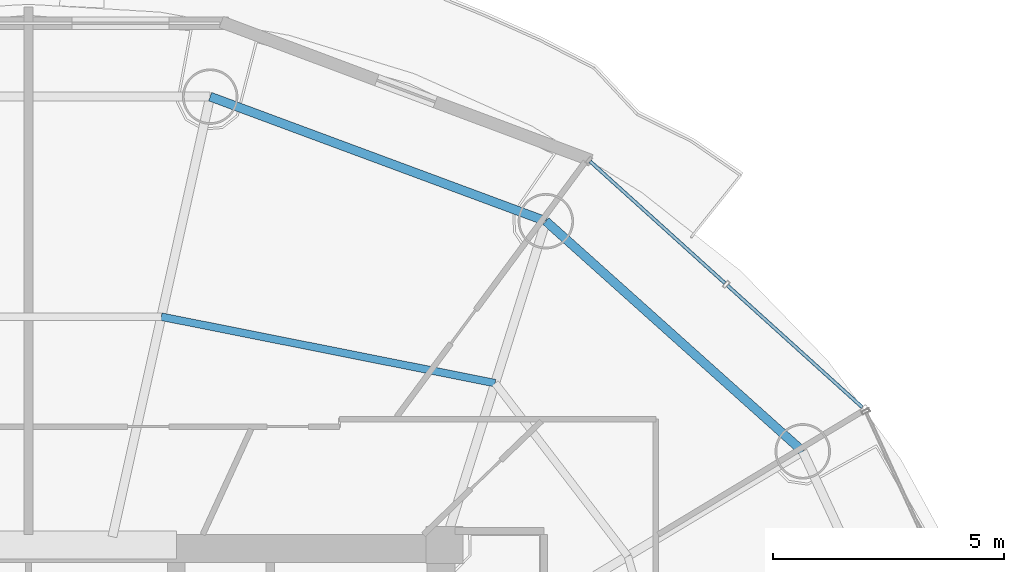
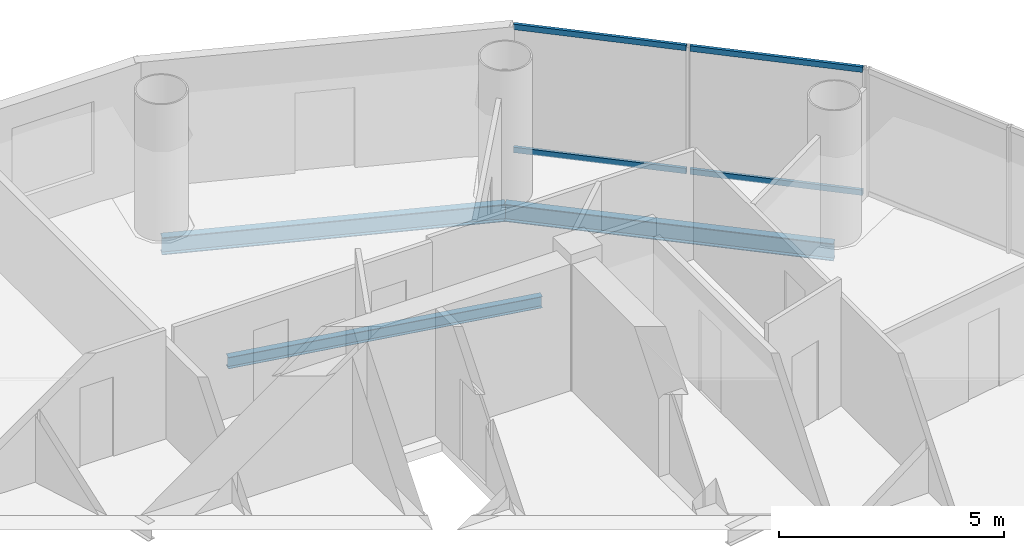
# One storey, part 17 of 26: 4 members, 3 beams, 1 element without a shape of its own.
"""IFC4 building model written with IfcOpenShell, lengths in metres."""

from ifc_helpers import new_model, si_unit, direction, frame, origin, origin_2d, place, context, subcontext, project, spatial, hollow_rectangle, i_section, extrude, source, transform, mapped, material, material_profile, profile_set, type_object, element, aggregate, save


model = new_model("IFC4")

# Units and contexts
model_context = context("Model", 3, precision=1e-05, world=origin(), true_north=direction((-0.2419218956, 0.970295726276)))
body_context = subcontext(model_context, "Body", "Model", "MODEL_VIEW")
ifc_project = project(units=[si_unit("LENGTHUNIT", "METRE"), si_unit("AREAUNIT", "SQUARE_METRE"), si_unit("VOLUMEUNIT", "CUBIC_METRE"), si_unit("PLANEANGLEUNIT", "RADIAN"), si_unit("MASSUNIT", "GRAM", prefix="KILO")], contexts=[model_context])

# Site, building, storey
site_placement = place(None, origin())
site = spatial("IfcSite", under=ifc_project, at=site_placement, CompositionType="ELEMENT")
building_placement = place(site_placement, origin())
building = spatial("IfcBuilding", under=site, at=building_placement, Name="Cobrevalo Terracotta Tower", CompositionType="ELEMENT")
storey_placement = place(building_placement, frame((0.0, 0.0, 202.300048828125)))
storey = spatial("IfcBuildingStorey", under=building, at=storey_placement, Name="L53", CompositionType="ELEMENT", Elevation=202.300048828125)

# Beams
ifc_material_1 = material(Name="Steel S355", Category="steel")
ifc_material_profile_1 = material_profile(ifc_material_1, i_section(OverallWidth=0.1650390625, OverallDepth=0.31005859375, WebThickness=0.005859375, FlangeThickness=0.009765625, at=origin_2d()), Name="W 310x38.7")
ifc_profile_set_1 = profile_set([ifc_material_profile_1], Name="Steel S355")
beam_type_1 = type_object("IfcBeamType", Name="Structural Joist W 310x38.7 (Steel S355)", PredefinedType="JOIST", material=ifc_profile_set_1)
beam_1_placement = place(storey_placement, frame((48.097412109375, 38.303955078125, -0.420166015625), z_axis=(-0.980762562197, 0.195204499418, 0.0), x_axis=(-0.195204499418, -0.980762562197, 0.0)))
element("IfcBeam", 1, at=beam_1_placement, inside=storey, type_object=beam_type_1, Name="L53 circumferential secondary floor joist 03", PredefinedType="JOIST", context=body_context, shape_type="SweptSolid", body=[
    extrude(i_section(OverallWidth=0.1650390625, OverallDepth=0.31005859375, WebThickness=0.005859375, FlangeThickness=0.009765625, at=origin_2d()), origin(), (0.0, 0.0, 1.0), 7.365234375),
])
ifc_material_profile_2 = material_profile(ifc_material_1, i_section(OverallWidth=0.194091796875, OverallDepth=0.468994140625, WebThickness=0.011474609375, FlangeThickness=0.0205078125, at=origin_2d()), Name="W 460x106")
ifc_profile_set_2 = profile_set([ifc_material_profile_2], Name="Steel S355")
beam_type_2 = type_object("IfcBeamType", Name="Structural Spandrel W 460x106 (Steel S355)", PredefinedType="SPANDREL", material=ifc_profile_set_2)
beam_2_placement = place(storey_placement, frame((54.754150390625, 36.828125, -0.49951171875), z_axis=(-0.744851930997, 0.667229796165, 0.0), x_axis=(-0.667229796165, -0.744851930997, 0.0)))
element("IfcBeam", 2, at=beam_2_placement, inside=storey, type_object=beam_type_2, Name="L53 perimeter ring spandrel 02", PredefinedType="SPANDREL", context=body_context, shape_type="SweptSolid", body=[
    extrude(i_section(OverallWidth=0.194091796875, OverallDepth=0.468994140625, WebThickness=0.011474609375, FlangeThickness=0.0205078125, at=origin_2d()), origin(), (0.0, 0.0, 1.0), 7.463623046875),
])
beam_3_placement = place(storey_placement, frame((49.19482421875, 41.80810546875, -0.49951171875), z_axis=(-0.937545996665, 0.347861328892, 0.0), x_axis=(-0.347861328892, -0.937545996665, 0.0)))
element("IfcBeam", 3, at=beam_3_placement, inside=storey, type_object=beam_type_2, Name="L53 perimeter ring spandrel 03", PredefinedType="SPANDREL", context=body_context, shape_type="SweptSolid", body=[
    extrude(i_section(OverallWidth=0.194091796875, OverallDepth=0.468994140625, WebThickness=0.011474609375, FlangeThickness=0.0205078125, at=origin_2d()), origin(), (0.0, 0.0, 1.0), 7.74755859375),
])

# Curtain wall, members
ifc_material_2 = material(Name="Anodized aluminium", Category="aluminium")
curtain_wall_type = type_object("IfcCurtainWallType", Name="Mid-tower high-wind unitised curtain wall CW-U2", PredefinedType="NOTDEFINED", material=ifc_material_2)
curtain_wall_placement = place(storey_placement, origin())
curtain_wall = element("IfcCurtainWall", 4, at=curtain_wall_placement, inside=storey, type_object=curtain_wall_type, Name="L53 curtain wall CW-L53-S02", PredefinedType="NOTDEFINED")
ifc_material_profile_3 = material_profile(ifc_material_2, hollow_rectangle(XDim=0.074951171875, YDim=0.14990234375, WallThickness=0.00439453125, at=origin_2d()), Name="CWT 75x150")
ifc_profile_set_3 = profile_set([ifc_material_profile_3], Name="Anodized aluminium")
member_type = type_object("IfcMemberType", Name="Tower unitised aluminium transom 75x150", PredefinedType="USERDEFINED", material=ifc_profile_set_3)
shared_shape_1 = source(origin(), body_context, "Body", "SweptSolid", [
    extrude(hollow_rectangle(XDim=0.074951171875, YDim=0.14990234375, WallThickness=0.00439453125, at=origin_2d()), origin(), (0.0, 0.0, 1.0), 3.927490234375),
])
member_1_placement = place(storey_placement, frame((56.041748046875, 37.78173828125, 0.050048828125), z_axis=(-0.741975952623, 0.670426495396, 0.0), x_axis=(-0.670426495396, -0.741975952623, 0.0)))
member_1 = element("IfcMember", 5, at=member_1_placement, type_object=member_type, Name="CW-L53-S02 transom B01-T1", ObjectType="TRANSOM", PredefinedType="USERDEFINED", context=body_context, shape_type="MappedRepresentation", body=[
    mapped(shared_shape_1, transform((0.0, 0.0, 0.0), scale=1.0)),
])
member_2_placement = place(storey_placement, frame((56.041748046875, 37.78173828125, 3.385009765625), z_axis=(-0.741975952623, 0.670426495396, 0.0), x_axis=(-0.670426495396, -0.741975952623, 0.0)))
member_2 = element("IfcMember", 6, at=member_2_placement, type_object=member_type, Name="CW-L53-S02 transom B01-T2", ObjectType="TRANSOM", PredefinedType="USERDEFINED", context=body_context, shape_type="MappedRepresentation", body=[
    mapped(shared_shape_1, transform((0.0, 0.0, 0.0), scale=1.0)),
])
shared_shape_2 = source(origin(), body_context, "Body", "SweptSolid", [
    extrude(hollow_rectangle(XDim=0.074951171875, YDim=0.14990234375, WallThickness=0.00439453125, at=origin_2d()), origin(), (0.0, 0.0, 1.0), 3.927734375),
])
member_3_placement = place(storey_placement, frame((53.068359375, 40.46826171875, 0.050048828125), z_axis=(-0.742003891138, 0.670395573923, 0.0), x_axis=(-0.670395573923, -0.742003891138, 0.0)))
member_3 = element("IfcMember", 7, at=member_3_placement, type_object=member_type, Name="CW-L53-S02 transom B02-T1", ObjectType="TRANSOM", PredefinedType="USERDEFINED", context=body_context, shape_type="MappedRepresentation", body=[
    mapped(shared_shape_2, transform((0.0, 0.0, 0.0), scale=1.0)),
])
member_4_placement = place(storey_placement, frame((53.068359375, 40.46826171875, 3.385009765625), z_axis=(-0.742003891138, 0.670395573923, 0.0), x_axis=(-0.670395573923, -0.742003891138, 0.0)))
member_4 = element("IfcMember", 8, at=member_4_placement, type_object=member_type, Name="CW-L53-S02 transom B02-T2", ObjectType="TRANSOM", PredefinedType="USERDEFINED", context=body_context, shape_type="MappedRepresentation", body=[
    mapped(shared_shape_2, transform((0.0, 0.0, 0.0), scale=1.0)),
])
aggregate(curtain_wall, [member_1, member_2, member_3, member_4])

save(model, "model.ifc")
